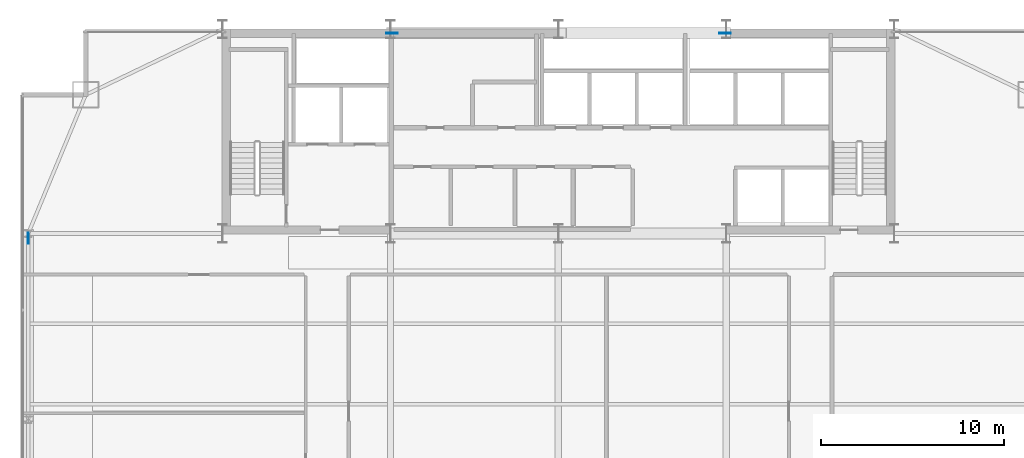
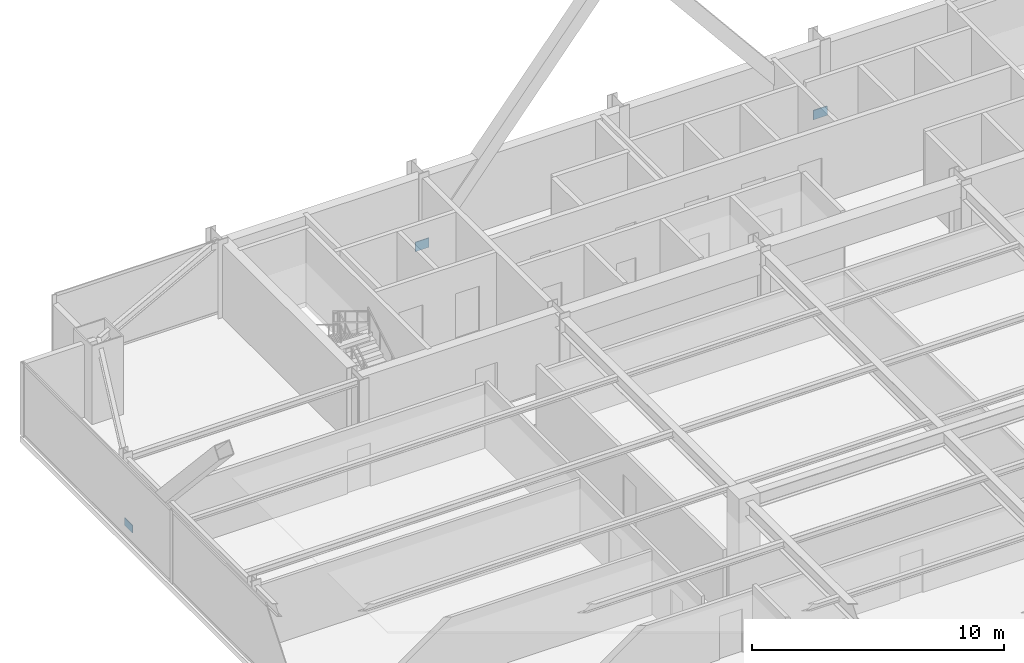
# One storey, part 32 of 38: 3 plates.
"""IFC4 building model written with IfcOpenShell, lengths in metres."""

from ifc_helpers import new_model, si_unit, direction, frame, origin, origin_2d, place, context, subcontext, project, spatial, rectangle, extrude, source, transform, mapped, material, layer, layer_set, type_object, type_shapes, element, save


model = new_model("IFC4")

# Units and contexts
model_context = context("Model", 3, precision=1e-05, world=origin(), true_north=direction((0.0, 1.0)))
body_context = subcontext(model_context, "Body", "Model", "MODEL_VIEW")
ifc_project = project(units=[si_unit("LENGTHUNIT", "METRE"), si_unit("AREAUNIT", "SQUARE_METRE"), si_unit("VOLUMEUNIT", "CUBIC_METRE"), si_unit("PLANEANGLEUNIT", "RADIAN"), si_unit("MASSUNIT", "GRAM", prefix="KILO")], contexts=[model_context])

# Site, building, storey
site_placement = place(None, origin())
site = spatial("IfcSite", under=ifc_project, at=site_placement, CompositionType="ELEMENT")
building_placement = place(site_placement, origin())
building = spatial("IfcBuilding", under=site, at=building_placement, Name="Varnel Quay Broadcast Tower", CompositionType="ELEMENT")
storey_placement = place(building_placement, frame((0.0, 0.0, 118.199951171875)))
storey = spatial("IfcBuildingStorey", under=building, at=storey_placement, Name="L28", CompositionType="ELEMENT", Elevation=118.199951171875)

# Plates
ifc_material = material(Name="Structural Steel CSA G40.21 350WT", Category="steel")
ifc_layer_1 = layer(ifc_material, 0.0400390625, Name="Structural Steel CSA G40.21 350WT")
ifc_layer_set_1 = layer_set([ifc_layer_1], Name="Structural Steel CSA G40.21 350WT")
plate_type_1 = type_object("IfcPlateType", Name="Plate_EmbedPlate", PredefinedType="USERDEFINED", material=ifc_layer_set_1)
shared_shape_1 = source(origin(), body_context, "Body", "SweptSolid", [
    extrude(rectangle(XDim=0.639892578125, YDim=0.0400390625, at=origin_2d()), origin(), (0.0, 0.0, 1.0), 0.449951171875),
])
type_shapes(plate_type_1, [shared_shape_1])
for number, where, z_axis, x_axis, name in (
    (1, (24.876220703125, 46.580078125, -0.1123046875), (0.0, 0.0, 1.0), (1.0, 0.0, 0.0), "Zone 2 Mega-Brace N-CT3 Diag A Wall Cast-In Embed Plate P0"),
    (2, (43.123779296875, 46.580078125, -0.1123046875), (0.0, 0.0, 1.0), (1.0, 0.0, 0.0), "Zone 2 Mega-Brace N-CT3 Diag B1 Wall Cast-In Embed Plate P0"),
):
    element("IfcPlate", number, at=place(storey_placement, frame(where, z_axis=z_axis, x_axis=x_axis)), inside=storey, type_object=plate_type_1, Name=name, ObjectType="EMBED_PLATE", PredefinedType="USERDEFINED", context=body_context, shape_type="MappedRepresentation", body=[
        mapped(shared_shape_1, transform((0.0, 0.0, 0.0), x_axis=(1.0, 0.0, 0.0), y_axis=(0.0, 1.0, 0.0), z_axis=(0.0, 0.0, 1.0), scale=1.0)),
    ])
ifc_layer_2 = layer(ifc_material, 0.031982421875, Name="Structural Steel CSA G40.21 350WT")
ifc_layer_set_2 = layer_set([ifc_layer_2], Name="Structural Steel CSA G40.21 350WT")
plate_type_2 = type_object("IfcPlateType", Name="Plate_EndCap", PredefinedType="USERDEFINED", material=ifc_layer_set_2)
shared_shape_2 = source(origin(), body_context, "Body", "SweptSolid", [
    extrude(rectangle(XDim=0.6201171875, YDim=0.031982421875, at=origin_2d()), origin(), (0.0, 0.0, 1.0), 0.3798828125),
])
type_shapes(plate_type_2, [shared_shape_2])
plate_placement = place(storey_placement, frame((4.949951171875, 35.343017578125, 0.110107421875), z_axis=(0.0, 0.0, 1.0), x_axis=(0.0, 1.0, 0.0)))
element("IfcPlate", 3, at=plate_placement, inside=storey, type_object=plate_type_2, Name="Zone 2 Mega-Brace W-FT3 Diag B1 End Connection Plate P0", ObjectType="CAP_PLATE", PredefinedType="USERDEFINED", context=body_context, shape_type="MappedRepresentation", body=[
    mapped(shared_shape_2, transform((0.0, 0.0, 0.0), x_axis=(1.0, 0.0, 0.0), y_axis=(0.0, 1.0, 0.0), z_axis=(0.0, 0.0, 1.0), scale=1.0)),
])

save(model, "model.ifc")
